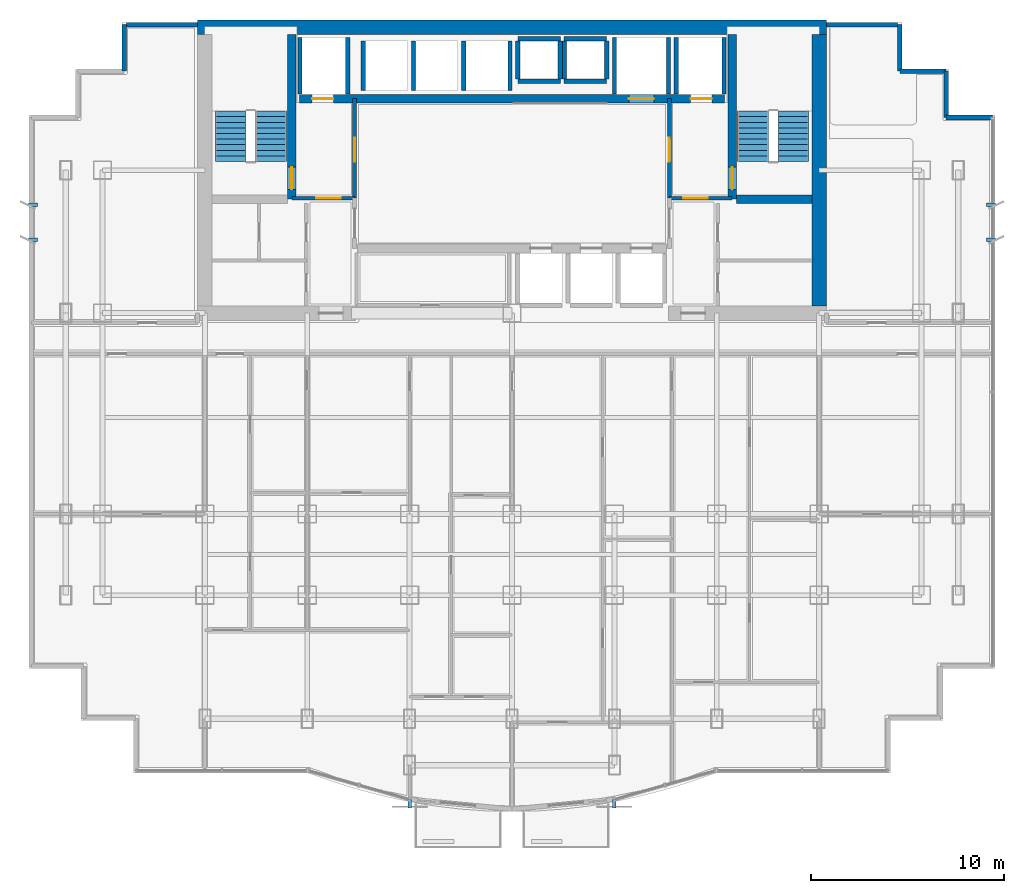
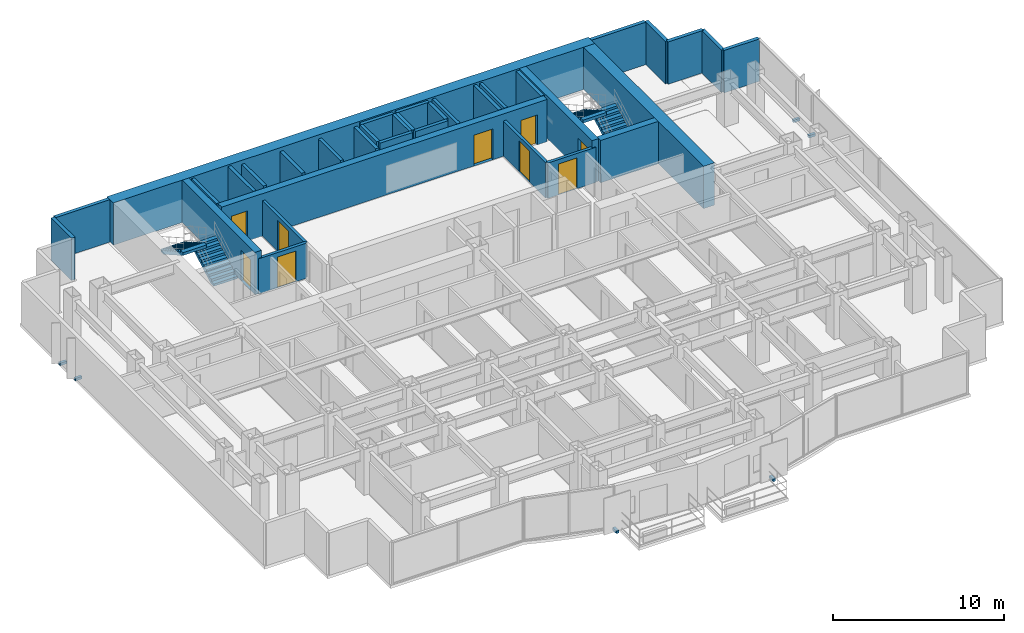
# One storey, part 9 of 11: 35 walls, 9 doors, 6 discrete accessories, 4 stair flights, 9 openings, 2 elements without a shape of their own.
"""IFC4 building model written with IfcOpenShell, lengths in metres."""

from ifc_helpers import new_model, si_unit, direction, frame, frame_2d, origin, origin_2d, place, context, subcontext, project, spatial, polyline, rectangle, outline, extrude, source, transform, mapped, material, layer, layer_set, type_object, element, fill, aggregate, save


model = new_model("IFC4")

# Units and contexts
model_context = context("Model", 3, precision=1e-05, world=origin(), true_north=direction((0.0, 1.0)))
body_context = subcontext(model_context, "Body", "Model", "MODEL_VIEW")
ifc_project = project(units=[si_unit("LENGTHUNIT", "METRE"), si_unit("AREAUNIT", "SQUARE_METRE"), si_unit("VOLUMEUNIT", "CUBIC_METRE"), si_unit("PLANEANGLEUNIT", "RADIAN"), si_unit("MASSUNIT", "GRAM", prefix="KILO")], contexts=[model_context])

# Site, building, storey
site_placement = place(None, origin())
site = spatial("IfcSite", under=ifc_project, at=site_placement, CompositionType="ELEMENT")
building_placement = place(site_placement, origin())
building = spatial("IfcBuilding", under=site, at=building_placement, Name="Qianlan Lanfeng Residences", CompositionType="ELEMENT")
storey_placement = place(building_placement, frame((0.0, 0.0, 124.60009765625)))
storey = spatial("IfcBuildingStorey", under=building, at=storey_placement, Name="L34", CompositionType="ELEMENT", Elevation=124.60009765625)

# Wall, opening, door
ifc_material_1 = material(Name="Concrete C60", Category="concrete")
ifc_layer_1 = layer(ifc_material_1, 0.449951171875)
ifc_layer_set_1 = layer_set([ifc_layer_1], Name="Concrete C60")
wall_type_1 = type_object("IfcWallType", Name="CW-RC-450", PredefinedType="SHEAR", material=ifc_layer_set_1)
wall_1_placement = place(storey_placement, frame((15.10009765625, 31.10009765625, 0.0), z_axis=(0.0, 0.0, 1.0), x_axis=(0.0, 1.0, 0.0)))
wall_1 = element("IfcWall", 1, at=wall_1_placement, inside=storey, type_object=wall_type_1, Name="L34 Core Shear Wall ST1E", PredefinedType="SHEAR", context=body_context, shape_type="SweptSolid", body=[
    extrude(rectangle(XDim=8.52490234375, YDim=0.449951171875, at=frame_2d((4.262451171875, 0.0))), origin(), (0.0, 0.0, 1.0), 3.02978515625),
])
opening_1_placement = place(wall_1_placement, frame((0.510009765625, 0.0, 0.0)))
opening_1 = element("IfcOpeningElement", 2, at=opening_1_placement, cuts=wall_1, Name="Opening L34-D07", PredefinedType="OPENING", context=body_context, shape_type="SweptSolid", body=[
    extrude(rectangle(XDim=1.14990234375, YDim=2.199951171875, at=frame_2d((0.574951171875, 1.10009765625))), frame((0.0, 0.23486328125, 0.0), z_axis=(0.0, -1.0, 0.0), x_axis=(1.0, 0.0, 0.0)), (0.0, 0.0, 1.0), 0.469970703125),
])
ifc_material_2 = material(Name="Painted Galvanised Steel Fire Door", Category="steel")
door_type_1 = type_object("IfcDoorType", Name="DT-ST1", OperationType="NOTDEFINED", PredefinedType="DOOR", material=ifc_material_2)
door_1_placement = place(opening_1_placement, frame((1.14990234375, 0.0, 0.0), z_axis=(0.0, 0.0, 1.0), x_axis=(-1.0, 0.0, 0.0)))
door_1 = element("IfcDoor", 3, at=door_1_placement, inside=storey, type_object=door_type_1, Name="L34 Exit Stair ST-1 Door L34-D07 (DT-ST1)", OperationType="SINGLE_SWING_RIGHT", OverallHeight=2.199951171875, OverallWidth=1.14990234375, PredefinedType="DOOR", context=body_context, shape_type="SweptSolid", body=[
    extrude(rectangle(XDim=1.14990234375, YDim=2.199951171875, at=frame_2d((0.574951171875, 1.10009765625))), frame((0.0, 0.02490234375, 0.0), z_axis=(0.0, -1.0, 0.0), x_axis=(1.0, 0.0, 0.0)), (0.0, 0.0, 1.0), 0.050048828125),
])
fill(opening_1, door_1)

wall_2_placement = place(storey_placement, frame((37.89990234375, 31.10009765625, 0.0), z_axis=(0.0, 0.0, 1.0), x_axis=(0.0, 1.0, 0.0)))
wall_2 = element("IfcWall", 4, at=wall_2_placement, inside=storey, type_object=wall_type_1, Name="L34 Core Shear Wall ST2W", PredefinedType="SHEAR", context=body_context, shape_type="SweptSolid", body=[
    extrude(rectangle(XDim=8.52490234375, YDim=0.449951171875, at=frame_2d((4.262451171875, 0.0))), origin(), (0.0, 0.0, 1.0), 3.02978515625),
])
opening_2_placement = place(wall_2_placement, frame((0.510009765625, 0.0, 0.0)))
opening_2 = element("IfcOpeningElement", 5, at=opening_2_placement, cuts=wall_2, Name="Opening L34-D08", PredefinedType="OPENING", context=body_context, shape_type="SweptSolid", body=[
    extrude(rectangle(XDim=1.14990234375, YDim=2.199951171875, at=frame_2d((0.574951171875, 1.10009765625))), frame((0.0, 0.23486328125, 0.0), z_axis=(0.0, -1.0, 0.0), x_axis=(1.0, 0.0, 0.0)), (0.0, 0.0, 1.0), 0.469970703125),
])
door_2_placement = place(opening_2_placement, origin())
door_2 = element("IfcDoor", 6, at=door_2_placement, inside=storey, type_object=door_type_1, Name="L34 Exit Stair ST-2 Door L34-D08 (DT-ST1)", OperationType="SINGLE_SWING_RIGHT", OverallHeight=2.199951171875, OverallWidth=1.14990234375, PredefinedType="DOOR", context=body_context, shape_type="SweptSolid", body=[
    extrude(rectangle(XDim=1.14990234375, YDim=2.199951171875, at=frame_2d((0.574951171875, 1.10009765625))), frame((0.0, 0.02490234375, 0.0), z_axis=(0.0, -1.0, 0.0), x_axis=(1.0, 0.0, 0.0)), (0.0, 0.0, 1.0), 0.050048828125),
])
fill(opening_2, door_2)

# Wall
wall_3_placement = place(storey_placement, frame((38.125, 31.10009765625, 0.0), z_axis=(0.0, 0.0, 1.0), x_axis=(1.0, 0.0, 0.0)))
element("IfcWall", 7, at=wall_3_placement, inside=storey, type_object=wall_type_1, Name="L34 Core Shear Wall ST2S", PredefinedType="SHEAR", context=body_context, shape_type="SweptSolid", body=[
    extrude(rectangle(XDim=3.89990234375, YDim=0.449951171875, at=frame_2d((1.949951171875, 0.0))), origin(), (0.0, 0.0, 1.0), 3.02978515625),
])

# Wall, openings, doors
wall_4_placement = place(storey_placement, frame((15.5, 36.300048828125, 0.0), z_axis=(0.0, 0.0, 1.0), x_axis=(1.0, 0.0, 0.0)))
wall_4 = element("IfcWall", 8, at=wall_4_placement, inside=storey, type_object=wall_type_1, Name="L34 Core Shear Wall LBN", PredefinedType="SHEAR", context=body_context, shape_type="SweptSolid", body=[
    extrude(rectangle(XDim=22.0, YDim=0.449951171875, at=frame_2d((11.0, 0.0))), origin(), (0.0, 0.0, 1.0), 3.02978515625),
])
opening_3_placement = place(wall_4_placement, frame((0.64990234375, 0.0, 0.0)))
opening_3 = element("IfcOpeningElement", 9, at=opening_3_placement, cuts=wall_4, Name="Opening L34-LD-FFL-1", PredefinedType="OPENING", context=body_context, shape_type="SweptSolid", body=[
    extrude(rectangle(XDim=1.10009765625, YDim=2.14990234375, at=frame_2d((0.550048828125, 1.074951171875))), frame((0.0, 0.23486328125, 0.0), z_axis=(0.0, -1.0, 0.0), x_axis=(1.0, 0.0, 0.0)), (0.0, 0.0, 1.0), 0.469970703125),
])
opening_4_placement = place(wall_4_placement, frame((20.25, 0.0, 0.0)))
opening_4 = element("IfcOpeningElement", 10, at=opening_4_placement, cuts=wall_4, Name="Opening L34-LD-FFL-2", PredefinedType="OPENING", context=body_context, shape_type="SweptSolid", body=[
    extrude(rectangle(XDim=1.10009765625, YDim=2.14990234375, at=frame_2d((0.550048828125, 1.074951171875))), frame((0.0, 0.23486328125, 0.0), z_axis=(0.0, -1.0, 0.0), x_axis=(1.0, 0.0, 0.0)), (0.0, 0.0, 1.0), 0.469970703125),
])
opening_5_placement = place(wall_4_placement, frame((17.050048828125, 0.0, 0.0)))
opening_5 = element("IfcOpeningElement", 11, at=opening_5_placement, cuts=wall_4, Name="Opening L34-LD-SVL-1", PredefinedType="OPENING", context=body_context, shape_type="SweptSolid", body=[
    extrude(rectangle(XDim=1.300048828125, YDim=2.199951171875, at=frame_2d((0.64990234375, 1.10009765625))), frame((0.0, 0.23486328125, 0.0), z_axis=(0.0, -1.0, 0.0), x_axis=(1.0, 0.0, 0.0)), (0.0, 0.0, 1.0), 0.469970703125),
])
ifc_material_3 = material(Name="Brushed Stainless Steel Sliding Lift Door", Category="steel")
door_type_2 = type_object("IfcDoorType", Name="LD-01", OperationType="NOTDEFINED", PredefinedType="DOOR", material=ifc_material_3)
door_3_placement = place(opening_3_placement, frame((1.10009765625, 0.0, 0.0), z_axis=(0.0, 0.0, 1.0), x_axis=(-1.0, 0.0, 0.0)))
door_3 = element("IfcDoor", 12, at=door_3_placement, inside=storey, type_object=door_type_2, Name="L34 Elevator FFL-1 Sliding Landing Door", OperationType="DOUBLE_DOOR_SLIDING", OverallHeight=2.14990234375, OverallWidth=1.10009765625, PredefinedType="DOOR", context=body_context, shape_type="SweptSolid", body=[
    extrude(rectangle(XDim=1.10009765625, YDim=2.14990234375, at=frame_2d((0.550048828125, 1.074951171875))), frame((0.0, 0.02490234375, 0.0), z_axis=(0.0, -1.0, 0.0), x_axis=(1.0, 0.0, 0.0)), (0.0, 0.0, 1.0), 0.050048828125),
])
fill(opening_3, door_3)
door_4_placement = place(opening_4_placement, frame((1.10009765625, 0.0, 0.0), z_axis=(0.0, 0.0, 1.0), x_axis=(-1.0, 0.0, 0.0)))
door_4 = element("IfcDoor", 13, at=door_4_placement, inside=storey, type_object=door_type_2, Name="L34 Elevator FFL-2 Sliding Landing Door", OperationType="DOUBLE_DOOR_SLIDING", OverallHeight=2.14990234375, OverallWidth=1.10009765625, PredefinedType="DOOR", context=body_context, shape_type="SweptSolid", body=[
    extrude(rectangle(XDim=1.10009765625, YDim=2.14990234375, at=frame_2d((0.550048828125, 1.074951171875))), frame((0.0, 0.02490234375, 0.0), z_axis=(0.0, -1.0, 0.0), x_axis=(1.0, 0.0, 0.0)), (0.0, 0.0, 1.0), 0.050048828125),
])
fill(opening_4, door_4)
door_type_3 = type_object("IfcDoorType", Name="LD-02", OperationType="NOTDEFINED", PredefinedType="DOOR", material=ifc_material_3)
door_5_placement = place(opening_5_placement, frame((1.300048828125, 0.0, 0.0), z_axis=(0.0, 0.0, 1.0), x_axis=(-1.0, 0.0, 0.0)))
door_5 = element("IfcDoor", 14, at=door_5_placement, inside=storey, type_object=door_type_3, Name="L34 Elevator SVL-1 Sliding Landing Door", OperationType="DOUBLE_DOOR_SLIDING", OverallHeight=2.199951171875, OverallWidth=1.300048828125, PredefinedType="DOOR", context=body_context, shape_type="SweptSolid", body=[
    extrude(rectangle(XDim=1.300048828125, YDim=2.199951171875, at=frame_2d((0.64990234375, 1.10009765625))), frame((0.0, 0.02490234375, 0.0), z_axis=(0.0, -1.0, 0.0), x_axis=(1.0, 0.0, 0.0)), (0.0, 0.0, 1.0), 0.050048828125),
])
fill(opening_5, door_5)

# Walls
ifc_layer_2 = layer(ifc_material_1, 0.75)
ifc_layer_set_2 = layer_set([ifc_layer_2], Name="Concrete C60")
wall_type_2 = type_object("IfcWallType", Name="CW-RC-750", PredefinedType="SHEAR", material=ifc_layer_set_2)
wall_5_placement = place(storey_placement, frame((10.22509765625, 40.0, 0.0), z_axis=(0.0, 0.0, 1.0), x_axis=(1.0, 0.0, 0.0)))
element("IfcWall", 15, at=wall_5_placement, inside=storey, type_object=wall_type_2, Name="L34 Core Shear Wall N", PredefinedType="SHEAR", context=body_context, shape_type="SweptSolid", body=[
    extrude(rectangle(XDim=32.5498046875, YDim=0.75, at=frame_2d((16.27490234375, 0.0))), origin(), (0.0, 0.0, 1.0), 3.02978515625),
])
wall_6_placement = place(storey_placement, frame((42.39990234375, 25.574951171875, 0.0), z_axis=(0.0, 0.0, 1.0), x_axis=(0.0, 1.0, 0.0)))
element("IfcWall", 16, at=wall_6_placement, inside=storey, type_object=wall_type_2, Name="L34 Core Shear Wall E", PredefinedType="SHEAR", context=body_context, shape_type="SweptSolid", body=[
    extrude(rectangle(XDim=14.050048828125, YDim=0.75, at=frame_2d((7.02490234375, 0.0))), origin(), (0.0, 0.0, 1.0), 3.02978515625),
])
ifc_material_4 = material(Name="Concrete C42", Category="concrete")
ifc_layer_3 = layer(ifc_material_4, 0.239990234375)
ifc_layer_set_3 = layer_set([ifc_layer_3], Name="Concrete C42")
wall_type_3 = type_object("IfcWallType", Name="EW-240", PredefinedType="SOLIDWALL", material=ifc_layer_set_3)
for number, where, z_axis, x_axis, name in (
    (17, (51.3798828125, 35.330078125, 0.0), (0.0, 0.0, 1.0), (-1.0, 0.0, 0.0), "L34 Exterior Facade Spandrel Wall 11"),
    (18, (48.97998046875, 35.330078125, 0.0), (0.0, 0.0, 1.0), (0.0, 1.0, 0.0), "L34 Exterior Facade Spandrel Wall 12"),
    (19, (48.97998046875, 37.72998046875, 0.0), (0.0, 0.0, 1.0), (-1.0, 0.0, 0.0), "L34 Exterior Facade Spandrel Wall 13"),
    (20, (46.580078125, 37.72998046875, 0.0), (0.0, 0.0, 1.0), (0.0, 1.0, 0.0), "L34 Exterior Facade Spandrel Wall 14"),
):
    element("IfcWall", number, at=place(storey_placement, frame(where, z_axis=z_axis, x_axis=x_axis)), inside=storey, type_object=wall_type_3, Name=name, PredefinedType="SOLIDWALL", context=body_context, shape_type="SweptSolid", body=[
        extrude(rectangle(XDim=2.39990234375, YDim=0.239990234375, at=frame_2d((1.199951171875, 0.0))), origin(), (0.0, 0.0, 1.0), 3.02978515625),
    ])
for number, where, z_axis, x_axis, name in (
    (21, (46.449951171875, 40.1298828125, 0.0), (0.0, 0.0, 1.0), (-1.0, 0.0, 0.0), "L34 North Wing Exterior Wall E"),
    (22, (10.22509765625, 40.1298828125, 0.0), (0.0, 0.0, 1.0), (-1.0, 0.0, 0.0), "L34 North Wing Exterior Wall W"),
):
    element("IfcWall", number, at=place(storey_placement, frame(where, z_axis=z_axis, x_axis=x_axis)), inside=storey, type_object=wall_type_3, Name=name, PredefinedType="SOLIDWALL", context=body_context, shape_type="SweptSolid", body=[
        extrude(rectangle(XDim=3.675048828125, YDim=0.239990234375, at=frame_2d((1.83740234375, 0.0))), origin(), (0.0, 0.0, 1.0), 3.02978515625),
    ])
wall_7_placement = place(storey_placement, frame((6.419921875, 40.1298828125, 0.0), z_axis=(0.0, 0.0, 1.0), x_axis=(0.0, -1.0, 0.0)))
element("IfcWall", 23, at=wall_7_placement, inside=storey, type_object=wall_type_3, Name="L34 Exterior Facade Spandrel Wall 17", PredefinedType="SOLIDWALL", context=body_context, shape_type="SweptSolid", body=[
    extrude(rectangle(XDim=2.39990234375, YDim=0.239990234375, at=frame_2d((1.199951171875, 0.0))), origin(), (0.0, 0.0, 1.0), 3.02978515625),
])

# Wall, opening, door
ifc_material_5 = material(Name="Autoclaved Aerated Concrete Blockwork 200 mm", Category="masonry")
ifc_layer_4 = layer(ifc_material_5, 0.199951171875)
ifc_layer_set_4 = layer_set([ifc_layer_4], Name="Autoclaved Aerated Concrete Blockwork 200 mm")
wall_type_4 = type_object("IfcWallType", Name="PW-200", PredefinedType="PARTITIONING", material=ifc_layer_set_4)
wall_8_placement = place(storey_placement, frame((15.10009765625, 31.14990234375, 0.0), z_axis=(0.0, 0.0, 1.0), x_axis=(1.0, 0.0, 0.0)))
wall_8 = element("IfcWall", 24, at=wall_8_placement, inside=storey, type_object=wall_type_4, Name="L34 Firefighting Lobby 1 South Wall", PredefinedType="PARTITIONING", context=body_context, shape_type="SweptSolid", body=[
    extrude(rectangle(XDim=3.25, YDim=0.199951171875, at=frame_2d((1.625, 0.0))), origin(), (0.0, 0.0, 1.0), 2.52001953125),
])
opening_6_placement = place(wall_8_placement, frame((1.27490234375, 0.0, 0.0)))
opening_6 = element("IfcOpeningElement", 25, at=opening_6_placement, cuts=wall_8, Name="Opening L34-D03", PredefinedType="OPENING", context=body_context, shape_type="SweptSolid", body=[
    extrude(rectangle(XDim=1.25, YDim=2.199951171875, at=frame_2d((0.625, 1.10009765625))), frame((0.0, 0.10986328125, 0.0), z_axis=(0.0, -1.0, 0.0), x_axis=(1.0, 0.0, 0.0)), (0.0, 0.0, 1.0), 0.219970703125),
])
door_type_4 = type_object("IfcDoorType", Name="DT-FFL", OperationType="NOTDEFINED", PredefinedType="DOOR", material=ifc_material_2)
door_6_placement = place(opening_6_placement, origin())
door_6 = element("IfcDoor", 26, at=door_6_placement, inside=storey, type_object=door_type_4, Name="L34 Firefighting Lobby 1 Entry Door L34-D03 (DT-FFL)", OperationType="SINGLE_SWING_LEFT", OverallHeight=2.199951171875, OverallWidth=1.25, PredefinedType="DOOR", context=body_context, shape_type="SweptSolid", body=[
    extrude(rectangle(XDim=1.25, YDim=2.199951171875, at=frame_2d((0.625, 1.10009765625))), frame((0.0, 0.02490234375, 0.0), z_axis=(0.0, -1.0, 0.0), x_axis=(1.0, 0.0, 0.0)), (0.0, 0.0, 1.0), 0.050048828125),
])
fill(opening_6, door_6)

wall_9_placement = place(storey_placement, frame((18.35009765625, 31.14990234375, 0.0), z_axis=(0.0, 0.0, 1.0), x_axis=(0.0, 1.0, 0.0)))
wall_9 = element("IfcWall", 27, at=wall_9_placement, inside=storey, type_object=wall_type_4, Name="L34 Firefighting Lobby 1 East Wall", PredefinedType="PARTITIONING", context=body_context, shape_type="SweptSolid", body=[
    extrude(rectangle(XDim=5.150146484375, YDim=0.199951171875, at=frame_2d((2.5751953125, 0.0))), origin(), (0.0, 0.0, 1.0), 2.52001953125),
])
opening_7_placement = place(wall_9_placement, frame((1.875, 0.0, 0.0)))
opening_7 = element("IfcOpeningElement", 28, at=opening_7_placement, cuts=wall_9, Name="Opening L34-D04", PredefinedType="OPENING", context=body_context, shape_type="SweptSolid", body=[
    extrude(rectangle(XDim=1.25, YDim=2.199951171875, at=frame_2d((0.625, 1.10009765625))), frame((0.0, 0.10986328125, 0.0), z_axis=(0.0, -1.0, 0.0), x_axis=(1.0, 0.0, 0.0)), (0.0, 0.0, 1.0), 0.219970703125),
])
door_7_placement = place(opening_7_placement, origin())
door_7 = element("IfcDoor", 29, at=door_7_placement, inside=storey, type_object=door_type_4, Name="L34 Firefighting Lobby 1 Lift Lobby Door L34-D04 (DT-FFL)", OperationType="SINGLE_SWING_LEFT", OverallHeight=2.199951171875, OverallWidth=1.25, PredefinedType="DOOR", context=body_context, shape_type="SweptSolid", body=[
    extrude(rectangle(XDim=1.25, YDim=2.199951171875, at=frame_2d((0.625, 1.10009765625))), frame((0.0, 0.02490234375, 0.0), z_axis=(0.0, -1.0, 0.0), x_axis=(1.0, 0.0, 0.0)), (0.0, 0.0, 1.0), 0.050048828125),
])
fill(opening_7, door_7)

wall_10_placement = place(storey_placement, frame((34.64990234375, 31.14990234375, 0.0), z_axis=(0.0, 0.0, 1.0), x_axis=(1.0, 0.0, 0.0)))
wall_10 = element("IfcWall", 30, at=wall_10_placement, inside=storey, type_object=wall_type_4, Name="L34 Firefighting Lobby 2 South Wall", PredefinedType="PARTITIONING", context=body_context, shape_type="SweptSolid", body=[
    extrude(rectangle(XDim=3.25, YDim=0.199951171875, at=frame_2d((1.625, 0.0))), origin(), (0.0, 0.0, 1.0), 2.52001953125),
])
opening_8_placement = place(wall_10_placement, frame((0.72509765625, 0.0, 0.0)))
opening_8 = element("IfcOpeningElement", 31, at=opening_8_placement, cuts=wall_10, Name="Opening L34-D05", PredefinedType="OPENING", context=body_context, shape_type="SweptSolid", body=[
    extrude(rectangle(XDim=1.25, YDim=2.199951171875, at=frame_2d((0.625, 1.10009765625))), frame((0.0, 0.10986328125, 0.0), z_axis=(0.0, -1.0, 0.0), x_axis=(1.0, 0.0, 0.0)), (0.0, 0.0, 1.0), 0.219970703125),
])
door_8_placement = place(opening_8_placement, origin())
door_8 = element("IfcDoor", 32, at=door_8_placement, inside=storey, type_object=door_type_4, Name="L34 Firefighting Lobby 2 Entry Door L34-D05 (DT-FFL)", OperationType="SINGLE_SWING_RIGHT", OverallHeight=2.199951171875, OverallWidth=1.25, PredefinedType="DOOR", context=body_context, shape_type="SweptSolid", body=[
    extrude(rectangle(XDim=1.25, YDim=2.199951171875, at=frame_2d((0.625, 1.10009765625))), frame((0.0, 0.02490234375, 0.0), z_axis=(0.0, -1.0, 0.0), x_axis=(1.0, 0.0, 0.0)), (0.0, 0.0, 1.0), 0.050048828125),
])
fill(opening_8, door_8)

wall_11_placement = place(storey_placement, frame((34.64990234375, 31.14990234375, 0.0), z_axis=(0.0, 0.0, 1.0), x_axis=(0.0, 1.0, 0.0)))
wall_11 = element("IfcWall", 33, at=wall_11_placement, inside=storey, type_object=wall_type_4, Name="L34 Firefighting Lobby 2 West Wall", PredefinedType="PARTITIONING", context=body_context, shape_type="SweptSolid", body=[
    extrude(rectangle(XDim=5.150146484375, YDim=0.199951171875, at=frame_2d((2.5751953125, 0.0))), origin(), (0.0, 0.0, 1.0), 2.52001953125),
])
opening_9_placement = place(wall_11_placement, frame((1.875, 0.0, 0.0)))
opening_9 = element("IfcOpeningElement", 34, at=opening_9_placement, cuts=wall_11, Name="Opening L34-D06", PredefinedType="OPENING", context=body_context, shape_type="SweptSolid", body=[
    extrude(rectangle(XDim=1.25, YDim=2.199951171875, at=frame_2d((0.625, 1.10009765625))), frame((0.0, 0.10986328125, 0.0), z_axis=(0.0, -1.0, 0.0), x_axis=(1.0, 0.0, 0.0)), (0.0, 0.0, 1.0), 0.219970703125),
])
door_9_placement = place(opening_9_placement, origin())
door_9 = element("IfcDoor", 35, at=door_9_placement, inside=storey, type_object=door_type_4, Name="L34 Firefighting Lobby 2 Lift Lobby Door L34-D06 (DT-FFL)", OperationType="SINGLE_SWING_LEFT", OverallHeight=2.199951171875, OverallWidth=1.25, PredefinedType="DOOR", context=body_context, shape_type="SweptSolid", body=[
    extrude(rectangle(XDim=1.25, YDim=2.199951171875, at=frame_2d((0.625, 1.10009765625))), frame((0.0, 0.02490234375, 0.0), z_axis=(0.0, -1.0, 0.0), x_axis=(1.0, 0.0, 0.0)), (0.0, 0.0, 1.0), 0.050048828125),
])
fill(opening_9, door_9)

# Walls
ifc_material_6 = material(Name="Concrete C49", Category="concrete")
ifc_layer_5 = layer(ifc_material_6, 0.219970703125)
ifc_layer_set_5 = layer_set([ifc_layer_5], Name="Concrete C49")
wall_type_5 = type_object("IfcWallType", Name="SHW-220", PredefinedType="SOLIDWALL", material=ifc_layer_set_5)
for number, where, z_axis, x_axis, name in (
    (36, (15.52001953125, 36.550048828125, 0.0), (0.0, 0.0, 1.0), (0.0, 1.0, 0.0), "L34 Lift FFL-1 Shaft Wall W"),
    (37, (18.0, 36.550048828125, 0.0), (0.0, 0.0, 1.0), (0.0, 1.0, 0.0), "L34 Lift FFL-1 Shaft Wall E"),
    (38, (35.0, 36.550048828125, 0.0), (0.0, 0.0, 1.0), (0.0, 1.0, 0.0), "L34 Lift FFL-2 Shaft Wall W"),
    (39, (37.47998046875, 36.550048828125, 0.0), (0.0, 0.0, 1.0), (0.0, 1.0, 0.0), "L34 Lift FFL-2 Shaft Wall E"),
    (40, (31.800048828125, 36.550048828125, 0.0), (0.0, 0.0, 1.0), (0.0, 1.0, 0.0), "L34 Lift SVL-1 Shaft Wall W"),
    (41, (34.60009765625, 36.550048828125, 0.0), (0.0, 0.0, 1.0), (0.0, 1.0, 0.0), "L34 Lift SVL-1 Shaft Wall E"),
):
    element("IfcWall", number, at=place(storey_placement, frame(where, z_axis=z_axis, x_axis=x_axis)), inside=storey, type_object=wall_type_5, Name=name, PredefinedType="SOLIDWALL", context=body_context, shape_type="SweptSolid", body=[
        extrude(rectangle(XDim=2.929931640625, YDim=0.219970703125, at=frame_2d((1.46484375, 0.0))), origin(), (0.0, 0.0, 1.0), 3.02978515625),
    ])
for number, where, z_axis, x_axis, name in (
    (42, (18.800048828125, 36.719970703125, 0.0), (0.0, 0.0, 1.0), (0.0, 1.0, 0.0), "L34 Lift PL-H1 Shaft Wall W"),
    (43, (21.39990234375, 36.719970703125, 0.0), (0.0, 0.0, 1.0), (0.0, 1.0, 0.0), "L34 Lift PL-H2 Shaft Wall W"),
    (44, (24.0, 36.719970703125, 0.0), (0.0, 0.0, 1.0), (0.0, 1.0, 0.0), "L34 Lift PL-H3 Shaft Wall W"),
    (45, (26.39990234375, 36.719970703125, 0.0), (0.0, 0.0, 1.0), (0.0, 1.0, 0.0), "L34 Lift PL-H3 Shaft Wall E"),
):
    element("IfcWall", number, at=place(storey_placement, frame(where, z_axis=z_axis, x_axis=x_axis)), inside=storey, type_object=wall_type_5, Name=name, PredefinedType="SOLIDWALL", context=body_context, shape_type="SweptSolid", body=[
        extrude(rectangle(XDim=2.56005859375, YDim=0.219970703125, at=frame_2d((1.280029296875, 0.0))), origin(), (0.0, 0.0, 1.0), 3.02978515625),
    ])
for number, where, z_axis, x_axis, name in (
    (46, (26.800048828125, 37.31005859375, 0.0), (0.0, 0.0, 1.0), (0.0, 1.0, 0.0), "L34 MEP Riser MEP-R1 Shaft Wall W"),
    (47, (29.0, 37.31005859375, 0.0), (0.0, 0.0, 1.0), (0.0, 1.0, 0.0), "L34 MEP Riser MEP-R1 Shaft Wall E"),
):
    element("IfcWall", number, at=place(storey_placement, frame(where, z_axis=z_axis, x_axis=x_axis)), inside=storey, type_object=wall_type_5, Name=name, PredefinedType="SOLIDWALL", context=body_context, shape_type="SweptSolid", body=[
        extrude(rectangle(XDim=1.97998046875, YDim=0.219970703125, at=frame_2d((0.989990234375, 0.0))), origin(), (0.0, 0.0, 1.0), 3.02978515625),
    ])
for number, where, z_axis, x_axis, name in (
    (48, (26.800048828125, 39.39990234375, 0.0), (0.0, 0.0, 1.0), (1.0, 0.0, 0.0), "L34 MEP Riser MEP-R1 Shaft Wall N"),
    (49, (26.800048828125, 37.199951171875, 0.0), (0.0, 0.0, 1.0), (1.0, 0.0, 0.0), "L34 MEP Riser MEP-R1 Shaft Wall S"),
):
    element("IfcWall", number, at=place(storey_placement, frame(where, z_axis=z_axis, x_axis=x_axis)), inside=storey, type_object=wall_type_5, Name=name, PredefinedType="SOLIDWALL", context=body_context, shape_type="SweptSolid", body=[
        extrude(rectangle(XDim=2.199951171875, YDim=0.219970703125, at=frame_2d((1.10009765625, 0.0))), origin(), (0.0, 0.0, 1.0), 3.02978515625),
    ])
for number, where, z_axis, x_axis, name in (
    (50, (29.199951171875, 37.31005859375, 0.0), (0.0, 0.0, 1.0), (0.0, 1.0, 0.0), "L34 MEP Riser MEP-R2 Shaft Wall W"),
    (51, (31.39990234375, 37.31005859375, 0.0), (0.0, 0.0, 1.0), (0.0, 1.0, 0.0), "L34 MEP Riser MEP-R2 Shaft Wall E"),
):
    element("IfcWall", number, at=place(storey_placement, frame(where, z_axis=z_axis, x_axis=x_axis)), inside=storey, type_object=wall_type_5, Name=name, PredefinedType="SOLIDWALL", context=body_context, shape_type="SweptSolid", body=[
        extrude(rectangle(XDim=1.97998046875, YDim=0.219970703125, at=frame_2d((0.989990234375, 0.0))), origin(), (0.0, 0.0, 1.0), 3.02978515625),
    ])
for number, where, z_axis, x_axis, name in (
    (52, (29.199951171875, 39.39990234375, 0.0), (0.0, 0.0, 1.0), (1.0, 0.0, 0.0), "L34 MEP Riser MEP-R2 Shaft Wall N"),
    (53, (29.199951171875, 37.199951171875, 0.0), (0.0, 0.0, 1.0), (1.0, 0.0, 0.0), "L34 MEP Riser MEP-R2 Shaft Wall S"),
):
    element("IfcWall", number, at=place(storey_placement, frame(where, z_axis=z_axis, x_axis=x_axis)), inside=storey, type_object=wall_type_5, Name=name, PredefinedType="SOLIDWALL", context=body_context, shape_type="SweptSolid", body=[
        extrude(rectangle(XDim=2.199951171875, YDim=0.219970703125, at=frame_2d((1.10009765625, 0.0))), origin(), (0.0, 0.0, 1.0), 3.02978515625),
    ])

# Stair, stair flights
stair_type = type_object("IfcStairType", Name="STR-MAIN", PredefinedType="HALF_TURN_STAIR", material=ifc_material_4)
stair_1_placement = place(storey_placement, origin())
stair_1 = element("IfcStair", 54, at=stair_1_placement, inside=storey, type_object=stair_type, Name="L34 Exit Stair ST-1", PredefinedType="HALF_TURN_STAIR")
stair_flight_type = type_object("IfcStairFlightType", Name="FLT-1720", PredefinedType="STRAIGHT", material=ifc_material_4)
stair_flight_1_placement = place(storey_placement, frame((14.02001953125, 33.050048828125, 0.0), z_axis=(0.0, 0.0, 1.0), x_axis=(0.0, 1.0, 0.0)))
stair_flight_1 = element("IfcStairFlight", 55, at=stair_flight_1_placement, type_object=stair_flight_type, Name="ST-1 flight 1", NumberOfRisers=10, NumberOfTreads=9, PredefinedType="STRAIGHT", RiserHeight=0.165, TreadLength=0.29, context=body_context, shape_type="SweptSolid", body=[
    extrude(outline(polyline([(0.0, 0.0), (0.0, 0.1650390625), (0.2900390625, 0.1650390625), (0.2900390625, 0.330078125), (0.580078125, 0.330078125), (0.580078125, 0.4951171875), (0.8701171875, 0.4951171875), (0.8701171875, 0.659912109375), (1.159912109375, 0.659912109375), (1.159912109375, 0.824951171875), (1.449951171875, 0.824951171875), (1.449951171875, 0.989990234375), (1.739990234375, 0.989990234375), (1.739990234375, 1.155029296875), (2.030029296875, 1.155029296875), (2.030029296875, 1.320068359375), (2.320068359375, 1.320068359375), (2.320068359375, 1.485107421875), (2.610107421875, 1.485107421875), (2.610107421875, 1.64990234375), (2.610107421875, 1.278076171875), (0.36376953125, 0.0), (0.0, 0.0)])), frame((0.0, 0.800048828125, 0.0), z_axis=(0.0, -1.0, 0.0), x_axis=(1.0, 0.0, 0.0)), (0.0, 0.0, 1.0), 1.60009765625),
])
stair_flight_2_placement = place(storey_placement, frame((11.93994140625, 35.659912109375, 1.64990234375), z_axis=(0.0, 0.0, 1.0), x_axis=(0.0, -1.0, 0.0)))
stair_flight_2 = element("IfcStairFlight", 56, at=stair_flight_2_placement, type_object=stair_flight_type, Name="ST-1 flight 2", NumberOfRisers=10, NumberOfTreads=9, PredefinedType="STRAIGHT", RiserHeight=0.165, TreadLength=0.29, context=body_context, shape_type="SweptSolid", body=[
    extrude(outline(polyline([(0.0, 0.0), (0.0, 0.1650390625), (0.2900390625, 0.1650390625), (0.2900390625, 0.330078125), (0.580078125, 0.330078125), (0.580078125, 0.4951171875), (0.8701171875, 0.4951171875), (0.8701171875, 0.659912109375), (1.159912109375, 0.659912109375), (1.159912109375, 0.824951171875), (1.449951171875, 0.824951171875), (1.449951171875, 0.989990234375), (1.739990234375, 0.989990234375), (1.739990234375, 1.155029296875), (2.030029296875, 1.155029296875), (2.030029296875, 1.320068359375), (2.320068359375, 1.320068359375), (2.320068359375, 1.485107421875), (2.610107421875, 1.485107421875), (2.610107421875, 1.64990234375), (2.610107421875, 1.278076171875), (0.36376953125, 0.0), (0.0, 0.0)])), frame((0.0, 0.800048828125, 0.0), z_axis=(0.0, -1.0, 0.0), x_axis=(1.0, 0.0, 0.0)), (0.0, 0.0, 1.0), 1.60009765625),
])
aggregate(stair_1, [stair_flight_1, stair_flight_2])

stair_2_placement = place(storey_placement, origin())
stair_2 = element("IfcStair", 57, at=stair_2_placement, inside=storey, type_object=stair_type, Name="L34 Exit Stair ST-2", PredefinedType="HALF_TURN_STAIR")
stair_flight_3_placement = place(storey_placement, frame((41.06005859375, 33.050048828125, 0.0), z_axis=(0.0, 0.0, 1.0), x_axis=(0.0, 1.0, 0.0)))
stair_flight_3 = element("IfcStairFlight", 58, at=stair_flight_3_placement, type_object=stair_flight_type, Name="ST-2 flight 1", NumberOfRisers=10, NumberOfTreads=9, PredefinedType="STRAIGHT", RiserHeight=0.165, TreadLength=0.29, context=body_context, shape_type="SweptSolid", body=[
    extrude(outline(polyline([(0.0, 0.0), (0.0, 0.1650390625), (0.2900390625, 0.1650390625), (0.2900390625, 0.330078125), (0.580078125, 0.330078125), (0.580078125, 0.4951171875), (0.8701171875, 0.4951171875), (0.8701171875, 0.659912109375), (1.159912109375, 0.659912109375), (1.159912109375, 0.824951171875), (1.449951171875, 0.824951171875), (1.449951171875, 0.989990234375), (1.739990234375, 0.989990234375), (1.739990234375, 1.155029296875), (2.030029296875, 1.155029296875), (2.030029296875, 1.320068359375), (2.320068359375, 1.320068359375), (2.320068359375, 1.485107421875), (2.610107421875, 1.485107421875), (2.610107421875, 1.64990234375), (2.610107421875, 1.278076171875), (0.36376953125, 0.0), (0.0, 0.0)])), frame((0.0, 0.800048828125, 0.0), z_axis=(0.0, -1.0, 0.0), x_axis=(1.0, 0.0, 0.0)), (0.0, 0.0, 1.0), 1.60009765625),
])
stair_flight_4_placement = place(storey_placement, frame((38.97998046875, 35.659912109375, 1.64990234375), z_axis=(0.0, 0.0, 1.0), x_axis=(0.0, -1.0, 0.0)))
stair_flight_4 = element("IfcStairFlight", 59, at=stair_flight_4_placement, type_object=stair_flight_type, Name="ST-2 flight 2", NumberOfRisers=10, NumberOfTreads=9, PredefinedType="STRAIGHT", RiserHeight=0.165, TreadLength=0.29, context=body_context, shape_type="SweptSolid", body=[
    extrude(outline(polyline([(0.0, 0.0), (0.0, 0.1650390625), (0.2900390625, 0.1650390625), (0.2900390625, 0.330078125), (0.580078125, 0.330078125), (0.580078125, 0.4951171875), (0.8701171875, 0.4951171875), (0.8701171875, 0.659912109375), (1.159912109375, 0.659912109375), (1.159912109375, 0.824951171875), (1.449951171875, 0.824951171875), (1.449951171875, 0.989990234375), (1.739990234375, 0.989990234375), (1.739990234375, 1.155029296875), (2.030029296875, 1.155029296875), (2.030029296875, 1.320068359375), (2.320068359375, 1.320068359375), (2.320068359375, 1.485107421875), (2.610107421875, 1.485107421875), (2.610107421875, 1.64990234375), (2.610107421875, 1.278076171875), (0.36376953125, 0.0), (0.0, 0.0)])), frame((0.0, 0.800048828125, 0.0), z_axis=(0.0, -1.0, 0.0), x_axis=(1.0, 0.0, 0.0)), (0.0, 0.0, 1.0), 1.60009765625),
])
aggregate(stair_2, [stair_flight_3, stair_flight_4])

# Discrete accessories
ifc_material_7 = material(Name="Stainless Steel Facade Bracket", Category="steel")
discrete_accessory_type = type_object("IfcDiscreteAccessoryType", Name="BRK-SS-350", PredefinedType="BRACKET", material=ifc_material_7)
shared_shape_1 = source(origin(), body_context, "Body", "SweptSolid", [
    extrude(rectangle(XDim=0.179931640625, YDim=0.449951171875, at=origin_2d()), origin(), (0.0, 0.0, 1.0), 0.179931640625),
])
for number, where, z_axis, x_axis, name in (
    (60, (21.199951171875, -0.199951171875, -0.14990234375), (0.0, 0.0, 1.0), (1.0, 0.0, 0.0), "L34 Solar Screen Support Bracket 1"),
    (61, (31.800048828125, -0.199951171875, -0.14990234375), (0.0, 0.0, 1.0), (1.0, 0.0, 0.0), "L34 Solar Screen Support Bracket 2"),
):
    element("IfcDiscreteAccessory", number, at=place(storey_placement, frame(where, z_axis=z_axis, x_axis=x_axis)), inside=storey, type_object=discrete_accessory_type, Name=name, PredefinedType="BRACKET", context=body_context, shape_type="MappedRepresentation", body=[
        mapped(shared_shape_1, transform((0.0, 0.0, 0.0), scale=1.0)),
    ])
shared_shape_2 = source(origin(), body_context, "Body", "SweptSolid", [
    extrude(rectangle(XDim=0.449951171875, YDim=0.179931640625, at=origin_2d()), origin(), (0.0, 0.0, 1.0), 0.179931640625),
])
for number, where, z_axis, x_axis, name in (
    (62, (1.699951171875, 29.0, -0.14990234375), (0.0, 0.0, 1.0), (1.0, 0.0, 0.0), "L34 Raked Solar Fin Support Bracket W1"),
    (63, (1.699951171875, 30.800048828125, -0.14990234375), (0.0, 0.0, 1.0), (1.0, 0.0, 0.0), "L34 Raked Solar Fin Support Bracket W2"),
    (64, (51.300048828125, 29.0, -0.14990234375), (0.0, 0.0, 1.0), (1.0, 0.0, 0.0), "L34 Raked Solar Fin Support Bracket E1"),
    (65, (51.300048828125, 30.800048828125, -0.14990234375), (0.0, 0.0, 1.0), (1.0, 0.0, 0.0), "L34 Raked Solar Fin Support Bracket E2"),
):
    element("IfcDiscreteAccessory", number, at=place(storey_placement, frame(where, z_axis=z_axis, x_axis=x_axis)), inside=storey, type_object=discrete_accessory_type, Name=name, PredefinedType="BRACKET", context=body_context, shape_type="MappedRepresentation", body=[
        mapped(shared_shape_2, transform((0.0, 0.0, 0.0), scale=1.0)),
    ])

save(model, "model.ifc")
